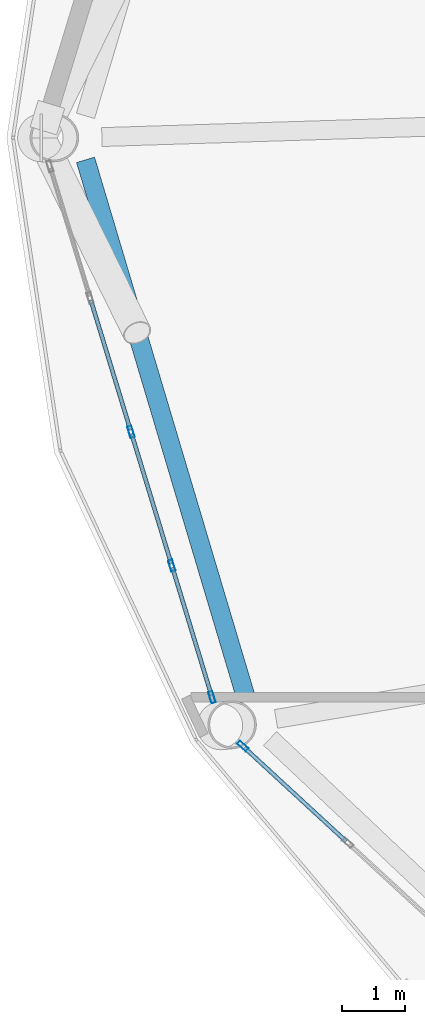
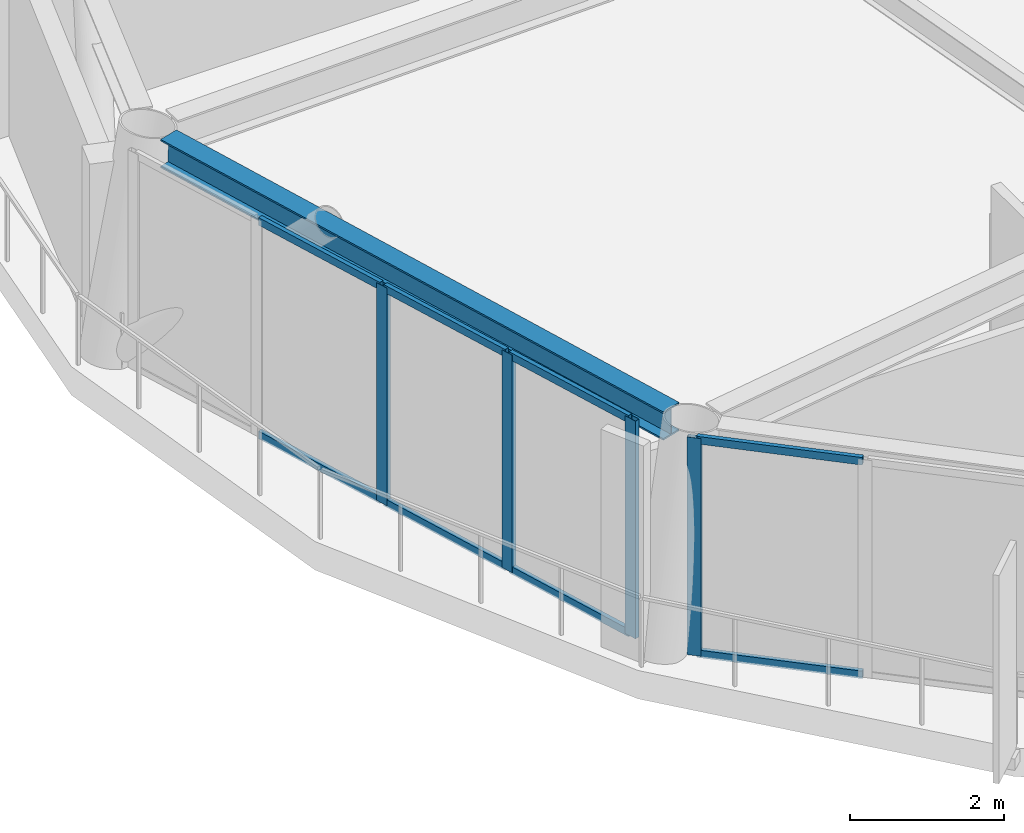
# One storey, part 5 of 26: 12 members, 1 beam, 2 elements without a shape of their own.
"""IFC4 building model written with IfcOpenShell, lengths in metres."""

from ifc_helpers import new_model, si_unit, direction, frame, origin, origin_2d, place, context, subcontext, project, spatial, hollow_rectangle, i_section, extrude, material, layer, layer_set, material_profile, profile_set, type_object, element, aggregate, save


model = new_model("IFC4")

# Units and contexts
model_context = context("Model", 3, precision=1e-05, world=origin(), true_north=direction((0.0, 1.0)))
body_context = subcontext(model_context, "Body", "Model", "MODEL_VIEW")
ifc_project = project(units=[si_unit("LENGTHUNIT", "METRE"), si_unit("AREAUNIT", "SQUARE_METRE"), si_unit("VOLUMEUNIT", "CUBIC_METRE"), si_unit("PLANEANGLEUNIT", "RADIAN"), si_unit("MASSUNIT", "GRAM", prefix="KILO")], contexts=[model_context])

# Site, building, storey
site_placement = place(None, origin())
site = spatial("IfcSite", under=ifc_project, at=site_placement, CompositionType="ELEMENT")
building_placement = place(site_placement, origin())
building = spatial("IfcBuilding", under=site, at=building_placement, Name="Varnakorn Sky Granary", CompositionType="ELEMENT")
storey_placement = place(building_placement, frame((0.0, 0.0, 169.5)))
storey = spatial("IfcBuildingStorey", under=building, at=storey_placement, Name="L42", CompositionType="ELEMENT", Elevation=169.5)

# Beam
ifc_material_1 = material(Name="Steel S355JR", Category="steel")
ifc_material_profile_1 = material_profile(ifc_material_1, i_section(OverallWidth=0.300048828125, OverallDepth=0.449951171875, WebThickness=0.013916015625, FlangeThickness=0.02587890625, at=origin_2d()), Name="HE 450 B")
ifc_profile_set_1 = profile_set([ifc_material_profile_1], Name="Steel S355JR")
beam_type = type_object("IfcBeamType", Name="BM-SPD-Z3", PredefinedType="SPANDREL", material=ifc_profile_set_1)
beam_placement = place(storey_placement, frame((-21.245361328125, -0.3505859375, 3.22509765625), z_axis=(0.285843662049, -0.95827626542, 0.0), x_axis=(0.95827626542, 0.285843662049, 0.0)))
element("IfcBeam", 1, at=beam_placement, inside=storey, type_object=beam_type, Name="Perimeter Spandrel Ring Beam RB07 L42", PredefinedType="SPANDREL", context=body_context, shape_type="SweptSolid", body=[
    extrude(i_section(OverallWidth=0.300048828125, OverallDepth=0.449951171875, WebThickness=0.013916015625, FlangeThickness=0.02587890625, at=origin_2d()), origin(), (0.0, 0.0, 1.0), 8.98095703125),
])

# Curtain wall, members
ifc_material_2 = material(Name="Anodised Bronze Aluminium Alloy 6063-T6", Category="aluminium")
ifc_layer = layer(ifc_material_2, 0.179931640625, Name="Anodised Bronze Aluminium Alloy 6063-T6")
ifc_layer_set = layer_set([ifc_layer], Name="Anodised Bronze Aluminium Alloy 6063-T6")
curtain_wall_type = type_object("IfcCurtainWallType", Name="CW-FRM-2", PredefinedType="USERDEFINED", material=ifc_layer_set)
curtain_wall_1_placement = place(storey_placement, origin())
curtain_wall_1 = element("IfcCurtainWall", 2, at=curtain_wall_1_placement, inside=storey, type_object=curtain_wall_type, Name="Unitised Curtain Wall CW4 CW-L42-B07", ObjectType="CURTAIN WALL", PredefinedType="USERDEFINED")
ifc_material_profile_2 = material_profile(ifc_material_2, hollow_rectangle(XDim=0.070068359375, YDim=0.18505859375, WallThickness=0.00390625, at=origin_2d()), Name="ALU MULL 70x185")
ifc_profile_set_2 = profile_set([ifc_material_profile_2], Name="Anodised Bronze Aluminium Alloy 6063-T6")
member_type_1 = type_object("IfcMemberType", Name="CW-FRM-2-MULL", PredefinedType="MULLION", material=ifc_profile_set_2)
member_1_placement = place(storey_placement, frame((-19.232421875, -8.90234375, 0.0), z_axis=(0.0, 0.0, 1.0), x_axis=(-0.956425926656, -0.291975079108, 0.0)))
member_1 = element("IfcMember", 3, at=member_1_placement, type_object=member_type_1, Name="CW4 mullion 1", PredefinedType="MULLION", context=body_context, shape_type="SweptSolid", body=[
    extrude(hollow_rectangle(XDim=0.070068359375, YDim=0.18505859375, WallThickness=0.00390625, at=origin_2d()), origin(), (0.0, 0.0, 1.0), 3.449951171875),
])
member_2_placement = place(storey_placement, frame((-19.871826171875, -6.80712890625, 0.0), z_axis=(0.0, 0.0, 1.0), x_axis=(-0.956425926656, -0.291975079108, 0.0)))
member_2 = element("IfcMember", 4, at=member_2_placement, type_object=member_type_1, Name="CW4 mullion 2", PredefinedType="MULLION", context=body_context, shape_type="SweptSolid", body=[
    extrude(hollow_rectangle(XDim=0.070068359375, YDim=0.18505859375, WallThickness=0.00390625, at=origin_2d()), origin(), (0.0, 0.0, 1.0), 3.449951171875),
])
member_3_placement = place(storey_placement, frame((-20.521728515625, -4.6787109375, 0.0), z_axis=(0.0, 0.0, 1.0), x_axis=(-0.956425926656, -0.291975079108, 0.0)))
member_3 = element("IfcMember", 5, at=member_3_placement, type_object=member_type_1, Name="CW4 mullion 3", PredefinedType="MULLION", context=body_context, shape_type="SweptSolid", body=[
    extrude(hollow_rectangle(XDim=0.070068359375, YDim=0.18505859375, WallThickness=0.00390625, at=origin_2d()), origin(), (0.0, 0.0, 1.0), 3.449951171875),
])

# Curtain wall, member
curtain_wall_2_placement = place(storey_placement, origin())
curtain_wall_2 = element("IfcCurtainWall", 6, at=curtain_wall_2_placement, inside=storey, type_object=curtain_wall_type, Name="Unitised Curtain Wall CW4 CW-L42-B08", ObjectType="CURTAIN WALL", PredefinedType="USERDEFINED")
member_4_placement = place(storey_placement, frame((-18.7431640625, -9.679931640625, 0.0), z_axis=(0.0, 0.0, 1.0), x_axis=(-0.677547955322, -0.735478598084, 0.0)))
member_4 = element("IfcMember", 7, at=member_4_placement, type_object=member_type_1, Name="CW4 mullion 5", PredefinedType="MULLION", context=body_context, shape_type="SweptSolid", body=[
    extrude(hollow_rectangle(XDim=0.070068359375, YDim=0.18505859375, WallThickness=0.00390625, at=origin_2d()), origin(), (0.0, 0.0, 1.0), 3.449951171875),
])

# Member
ifc_material_profile_3 = material_profile(ifc_material_2, hollow_rectangle(XDim=0.06494140625, YDim=0.1201171875, WallThickness=0.00341796875, at=origin_2d()), Name="ALU TRAN 65x120")
ifc_profile_set_3 = profile_set([ifc_material_profile_3], Name="Anodised Bronze Aluminium Alloy 6063-T6")
member_type_2 = type_object("IfcMemberType", Name="CW-FRM-2-TRAN", PredefinedType="USERDEFINED", material=ifc_profile_set_3)
member_5_placement = place(storey_placement, frame((-19.242431640625, -8.86865234375, 0.032470703125), z_axis=(-0.292013750218, 0.956414120391, 0.0), x_axis=(-0.956414120391, -0.292013750218, 0.0)))
member_5 = element("IfcMember", 8, at=member_5_placement, type_object=member_type_2, Name="CW4 transom 1.1", ObjectType="TRANSOM", PredefinedType="USERDEFINED", context=body_context, shape_type="SweptSolid", body=[
    extrude(hollow_rectangle(XDim=0.06494140625, YDim=0.1201171875, WallThickness=0.00341796875, at=origin_2d()), origin(), (0.0, 0.0, 1.0), 2.120361328125),
])

member_6_placement = place(storey_placement, frame((-19.242431640625, -8.86865234375, 3.41748046875), z_axis=(-0.292013750218, 0.956414120391, 0.0), x_axis=(-0.956414120391, -0.292013750218, 0.0)))
member_6 = element("IfcMember", 9, at=member_6_placement, type_object=member_type_2, Name="CW4 transom 1.2", ObjectType="TRANSOM", PredefinedType="USERDEFINED", context=body_context, shape_type="SweptSolid", body=[
    extrude(hollow_rectangle(XDim=0.06494140625, YDim=0.1201171875, WallThickness=0.00341796875, at=origin_2d()), origin(), (0.0, 0.0, 1.0), 2.120361328125),
])

member_7_placement = place(storey_placement, frame((-19.882080078125, -6.773681640625, 0.032470703125), z_axis=(-0.291999829396, 0.956418370606, 0.0), x_axis=(-0.956418370606, -0.291999829396, 0.0)))
member_7 = element("IfcMember", 10, at=member_7_placement, type_object=member_type_2, Name="CW4 transom 2.1", ObjectType="TRANSOM", PredefinedType="USERDEFINED", context=body_context, shape_type="SweptSolid", body=[
    extrude(hollow_rectangle(XDim=0.06494140625, YDim=0.1201171875, WallThickness=0.00341796875, at=origin_2d()), origin(), (0.0, 0.0, 1.0), 2.155517578125),
])

member_8_placement = place(storey_placement, frame((-19.882080078125, -6.773681640625, 3.41748046875), z_axis=(-0.291999829396, 0.956418370606, 0.0), x_axis=(-0.956418370606, -0.291999829396, 0.0)))
member_8 = element("IfcMember", 11, at=member_8_placement, type_object=member_type_2, Name="CW4 transom 2.2", ObjectType="TRANSOM", PredefinedType="USERDEFINED", context=body_context, shape_type="SweptSolid", body=[
    extrude(hollow_rectangle(XDim=0.06494140625, YDim=0.1201171875, WallThickness=0.00341796875, at=origin_2d()), origin(), (0.0, 0.0, 1.0), 2.155517578125),
])

member_9_placement = place(storey_placement, frame((-20.531982421875, -4.645263671875, 0.032470703125), z_axis=(-0.291896215729, 0.956449998298, 0.0), x_axis=(-0.956449998298, -0.291896215729, 0.0)))
member_9 = element("IfcMember", 12, at=member_9_placement, type_object=member_type_2, Name="CW4 transom 3.1", ObjectType="TRANSOM", PredefinedType="USERDEFINED", context=body_context, shape_type="SweptSolid", body=[
    extrude(hollow_rectangle(XDim=0.06494140625, YDim=0.1201171875, WallThickness=0.00341796875, at=origin_2d()), origin(), (0.0, 0.0, 1.0), 2.1552734375),
])

member_10_placement = place(storey_placement, frame((-20.531982421875, -4.645263671875, 3.41748046875), z_axis=(-0.291896215729, 0.956449998298, 0.0), x_axis=(-0.956449998298, -0.291896215729, 0.0)))
member_10 = element("IfcMember", 13, at=member_10_placement, type_object=member_type_2, Name="CW4 transom 3.2", ObjectType="TRANSOM", PredefinedType="USERDEFINED", context=body_context, shape_type="SweptSolid", body=[
    extrude(hollow_rectangle(XDim=0.06494140625, YDim=0.1201171875, WallThickness=0.00341796875, at=origin_2d()), origin(), (0.0, 0.0, 1.0), 2.1552734375),
])

aggregate(curtain_wall_1, [member_1, member_2, member_3, member_5, member_6, member_7, member_8, member_9, member_10])

member_11_placement = place(storey_placement, frame((-17.097900390625, -11.19580078125, 0.032470703125), z_axis=(-0.735449148752, 0.67757992119, 0.0), x_axis=(-0.67757992119, -0.735449148752, 0.0)))
member_11 = element("IfcMember", 14, at=member_11_placement, type_object=member_type_2, Name="CW4 transom 4.1", ObjectType="TRANSOM", PredefinedType="USERDEFINED", context=body_context, shape_type="SweptSolid", body=[
    extrude(hollow_rectangle(XDim=0.06494140625, YDim=0.1201171875, WallThickness=0.00341796875, at=origin_2d()), origin(), (0.0, 0.0, 1.0), 2.2021484375),
])

member_12_placement = place(storey_placement, frame((-17.097900390625, -11.19580078125, 3.41748046875), z_axis=(-0.735449148752, 0.67757992119, 0.0), x_axis=(-0.67757992119, -0.735449148752, 0.0)))
member_12 = element("IfcMember", 15, at=member_12_placement, type_object=member_type_2, Name="CW4 transom 4.2", ObjectType="TRANSOM", PredefinedType="USERDEFINED", context=body_context, shape_type="SweptSolid", body=[
    extrude(hollow_rectangle(XDim=0.06494140625, YDim=0.1201171875, WallThickness=0.00341796875, at=origin_2d()), origin(), (0.0, 0.0, 1.0), 2.2021484375),
])

aggregate(curtain_wall_2, [member_4, member_11, member_12])

save(model, "model.ifc")
